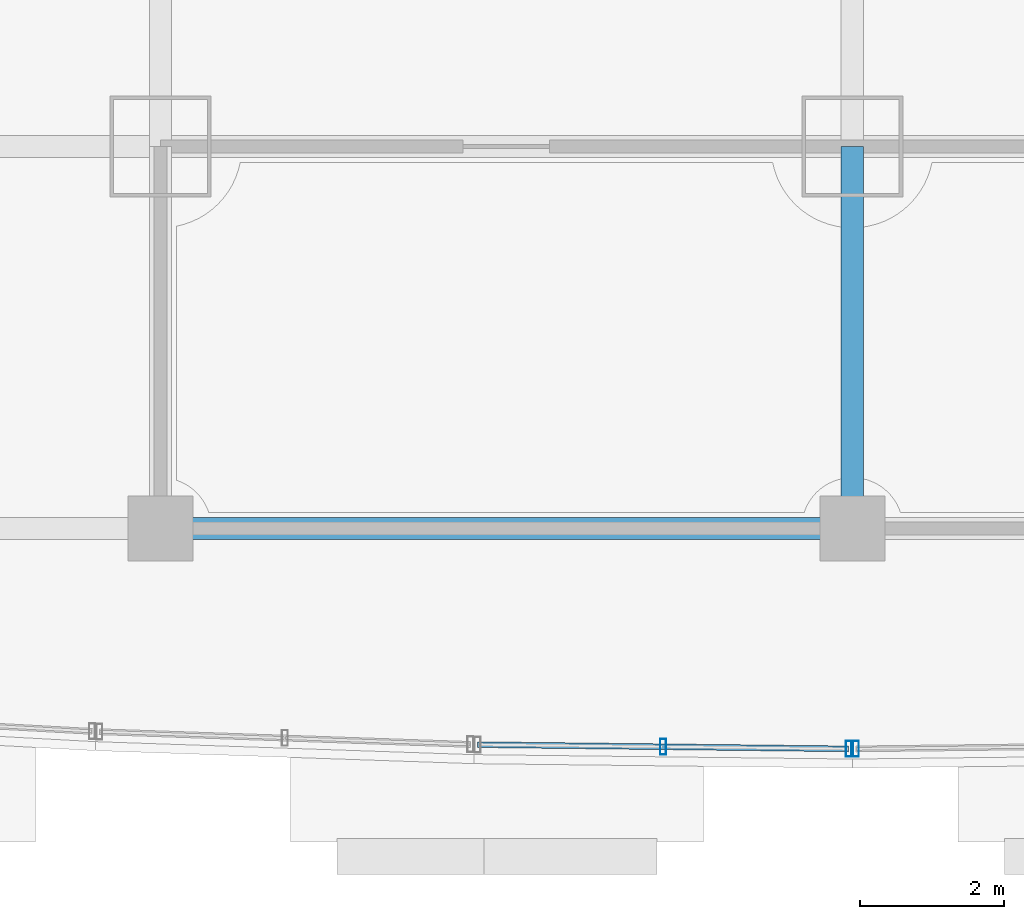
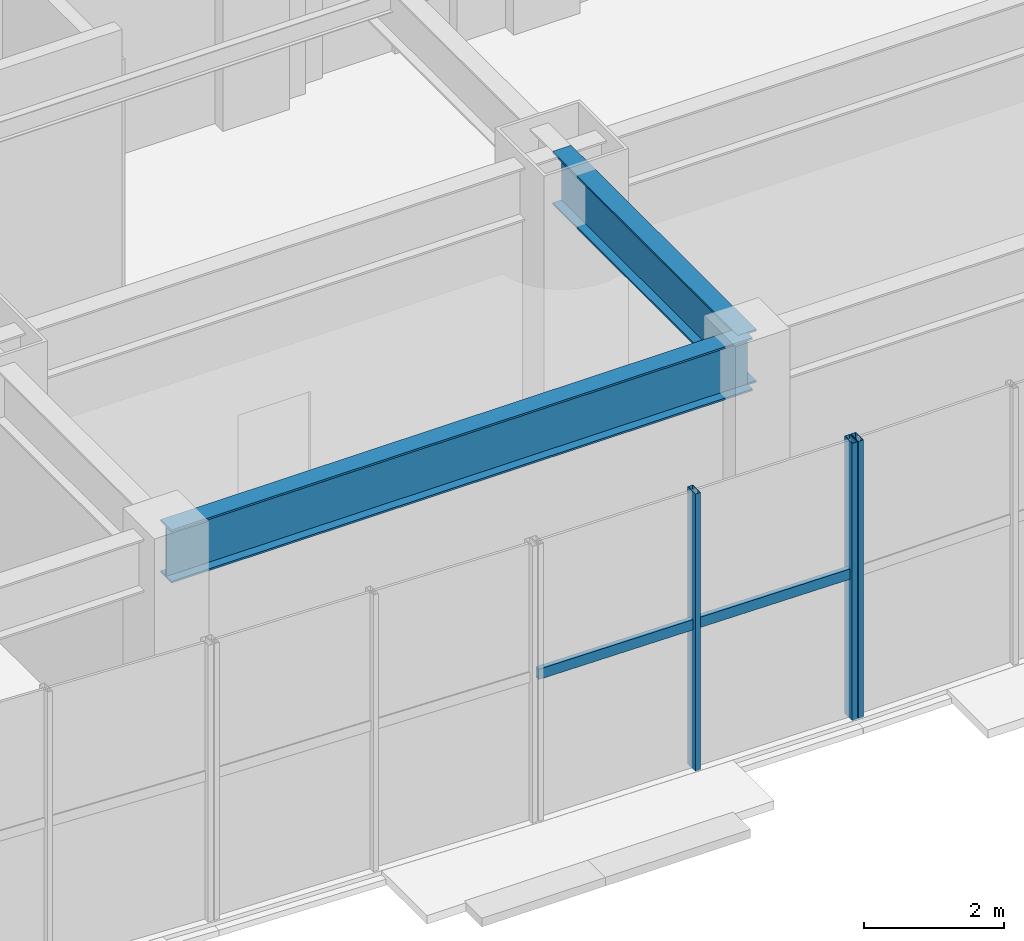
# One storey, part 5 of 24: 4 members, 2 beams, 2 elements without a shape of their own.
"""IFC4 building model written with IfcOpenShell, lengths in metres."""

from ifc_helpers import new_model, si_unit, direction, frame, origin, origin_2d, place, context, subcontext, project, spatial, hollow_rectangle, i_section, extrude, material, layer, layer_set, material_profile, profile_set, type_object, element, aggregate, save


model = new_model("IFC4")

# Units and contexts
model_context = context("Model", 3, precision=1e-05, world=origin(), true_north=direction((0.0, 1.0)))
body_context = subcontext(model_context, "Body", "Model", "MODEL_VIEW")
ifc_project = project(units=[si_unit("LENGTHUNIT", "METRE"), si_unit("AREAUNIT", "SQUARE_METRE"), si_unit("VOLUMEUNIT", "CUBIC_METRE"), si_unit("PLANEANGLEUNIT", "RADIAN"), si_unit("MASSUNIT", "GRAM", prefix="KILO")], contexts=[model_context])

# Site, building, storey
site_placement = place(None, origin())
site = spatial("IfcSite", under=ifc_project, at=site_placement, CompositionType="ELEMENT")
building_placement = place(site_placement, origin())
building = spatial("IfcBuilding", under=site, at=building_placement, Name="Vantalir Tower", CompositionType="ELEMENT")
storey_placement = place(building_placement, frame((0.0, 0.0, 6.0)))
storey = spatial("IfcBuildingStorey", under=building, at=storey_placement, Name="L01", CompositionType="ELEMENT", Elevation=6.0)

# Beams
ifc_material_1 = material(Name="Steel S355", Category="steel")
ifc_material_profile_1 = material_profile(ifc_material_1, i_section(OverallWidth=0.30810546875, OverallDepth=0.927001953125, WebThickness=0.01953125, FlangeThickness=0.031982421875, at=origin_2d()), Name="Steel S355")
ifc_profile_set_1 = profile_set([ifc_material_profile_1], Name="Steel S355")
beam_type = type_object("IfcBeamType", Name="BM-PG-914x305", PredefinedType="USERDEFINED", material=ifc_profile_set_1)
beam_1_placement = place(storey_placement, frame((21.89990234375, 3.199951171875, 4.35595703125), z_axis=(1.0, 0.0, 0.0), x_axis=(0.0, 1.0, 0.0)))
element("IfcBeam", 1, at=beam_1_placement, inside=storey, type_object=beam_type, Name="Level 01 Podium E-W Girder 03", ObjectType="GIRDER", PredefinedType="USERDEFINED", context=body_context, shape_type="SweptSolid", body=[
    extrude(i_section(OverallWidth=0.30810546875, OverallDepth=0.927001953125, WebThickness=0.01953125, FlangeThickness=0.031982421875, at=origin_2d()), origin(), (0.0, 0.0, 1.0), 9.60009765625),
])
beam_2_placement = place(storey_placement, frame((31.5, 3.199951171875, 4.35595703125), z_axis=(0.0, 1.0, 0.0), x_axis=(-1.0, 0.0, 0.0)))
element("IfcBeam", 2, at=beam_2_placement, inside=storey, type_object=beam_type, Name="Level 01 Podium N-S Girder 63", ObjectType="GIRDER", PredefinedType="USERDEFINED", context=body_context, shape_type="SweptSolid", body=[
    extrude(i_section(OverallWidth=0.30810546875, OverallDepth=0.927001953125, WebThickness=0.01953125, FlangeThickness=0.031982421875, at=origin_2d()), origin(), (0.0, 0.0, 1.0), 5.300048828125),
])

# Curtain wall, members
ifc_material_2 = material(Name="Champagne-silver PVDF aluminium and double-silver Low-E glass", Category="aluminium")
ifc_layer = layer(ifc_material_2, 0.239990234375)
ifc_layer_set = layer_set([ifc_layer], Name="Champagne-silver PVDF aluminium and double-silver Low-E glass")
curtain_wall_type = type_object("IfcCurtainWallType", Name="CW-PODIUM-WF", PredefinedType="USERDEFINED", material=ifc_layer_set)
curtain_wall_1_placement = place(storey_placement, origin())
curtain_wall_1 = element("IfcCurtainWall", 3, at=curtain_wall_1_placement, inside=storey, type_object=curtain_wall_type, Name="Level 01 Waterfront Stick Curtain Wall 06", ObjectType="STICK CURTAIN WALL", PredefinedType="USERDEFINED")
ifc_material_3 = material(Name="Champagne-silver PVDF aluminium 6063-T6", Category="aluminium")
ifc_material_profile_2 = material_profile(ifc_material_3, hollow_rectangle(XDim=0.0849609375, YDim=0.219970703125, WallThickness=0.0048828125, at=origin_2d()), Name="Champagne-silver PVDF aluminium 6063-T6")
ifc_profile_set_2 = profile_set([ifc_material_profile_2], Name="Champagne-silver PVDF aluminium 6063-T6")
member_type_1 = type_object("IfcMemberType", Name="CWM-220x85", PredefinedType="MULLION", material=ifc_profile_set_2)
member_1_placement = place(storey_placement, frame((28.875, 0.169921875, -0.011962890625), z_axis=(0.0, 0.0, 1.0), x_axis=(1.0, 0.0, 0.0)))
member_1 = element("IfcMember", 4, at=member_1_placement, type_object=member_type_1, Name="CW-L01-WF-06 Mullion 2", PredefinedType="MULLION", context=body_context, shape_type="SweptSolid", body=[
    extrude(hollow_rectangle(XDim=0.0849609375, YDim=0.219970703125, WallThickness=0.0048828125, at=origin_2d()), origin(), (0.0, 0.0, 1.0), 4.843994140625),
])
member_2_placement = place(storey_placement, frame((31.449951171875, 0.14111328125, -0.011962890625), z_axis=(0.0, 0.0, 1.0), x_axis=(1.0, 0.0, 0.0)))
member_2 = element("IfcMember", 5, at=member_2_placement, type_object=member_type_1, Name="CW-L01-WF-06 Mullion 3", PredefinedType="MULLION", context=body_context, shape_type="SweptSolid", body=[
    extrude(hollow_rectangle(XDim=0.0849609375, YDim=0.219970703125, WallThickness=0.0048828125, at=origin_2d()), origin(), (0.0, 0.0, 1.0), 4.843994140625),
])

# Curtain wall, member
curtain_wall_2_placement = place(storey_placement, origin())
curtain_wall_2 = element("IfcCurtainWall", 6, at=curtain_wall_2_placement, inside=storey, type_object=curtain_wall_type, Name="Level 01 Waterfront Stick Curtain Wall 07", ObjectType="STICK CURTAIN WALL", PredefinedType="USERDEFINED")
member_3_placement = place(storey_placement, frame((31.550048828125, 0.14111328125, -0.011962890625), z_axis=(0.0, 0.0, 1.0), x_axis=(1.0, 0.0, 0.0)))
member_3 = element("IfcMember", 7, at=member_3_placement, type_object=member_type_1, Name="CW-L01-WF-07 Mullion 1", PredefinedType="MULLION", context=body_context, shape_type="SweptSolid", body=[
    extrude(hollow_rectangle(XDim=0.0849609375, YDim=0.219970703125, WallThickness=0.0048828125, at=origin_2d()), origin(), (0.0, 0.0, 1.0), 4.843994140625),
])
aggregate(curtain_wall_2, [member_3])

# Member
ifc_material_profile_3 = material_profile(ifc_material_3, hollow_rectangle(XDim=0.080078125, YDim=0.179931640625, WallThickness=0.0048828125, at=origin_2d()), Name="Champagne-silver PVDF aluminium 6063-T6")
ifc_profile_set_3 = profile_set([ifc_material_profile_3], Name="Champagne-silver PVDF aluminium 6063-T6")
member_type_2 = type_object("IfcMemberType", Name="CWT-180x80", PredefinedType="USERDEFINED", material=ifc_profile_set_3)
member_4_placement = place(storey_placement, frame((26.300048828125, 0.199951171875, 2.506103515625), z_axis=(0.999934740508, -0.011424304184, 0.0), x_axis=(0.011424304184, 0.999934740508, 0.0)))
member_4 = element("IfcMember", 8, at=member_4_placement, type_object=member_type_2, Name="CW-L01-WF-06 Transom 1", ObjectType="TRANSOM", PredefinedType="USERDEFINED", context=body_context, shape_type="SweptSolid", body=[
    extrude(hollow_rectangle(XDim=0.080078125, YDim=0.179931640625, WallThickness=0.0048828125, at=origin_2d()), origin(), (0.0, 0.0, 1.0), 5.150146484375),
])

aggregate(curtain_wall_1, [member_1, member_2, member_4])

save(model, "model.ifc")
